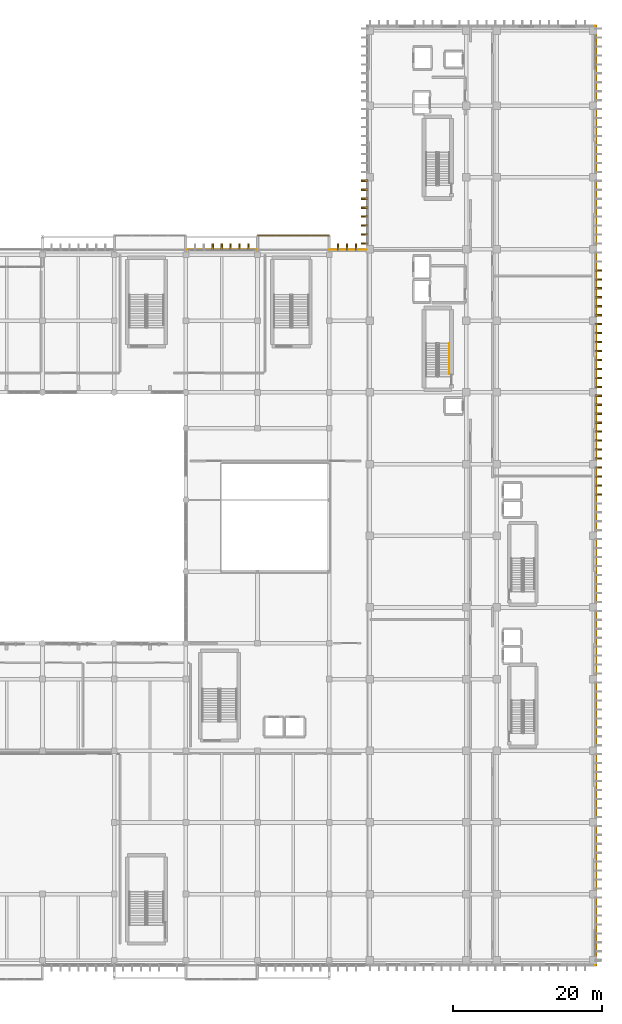
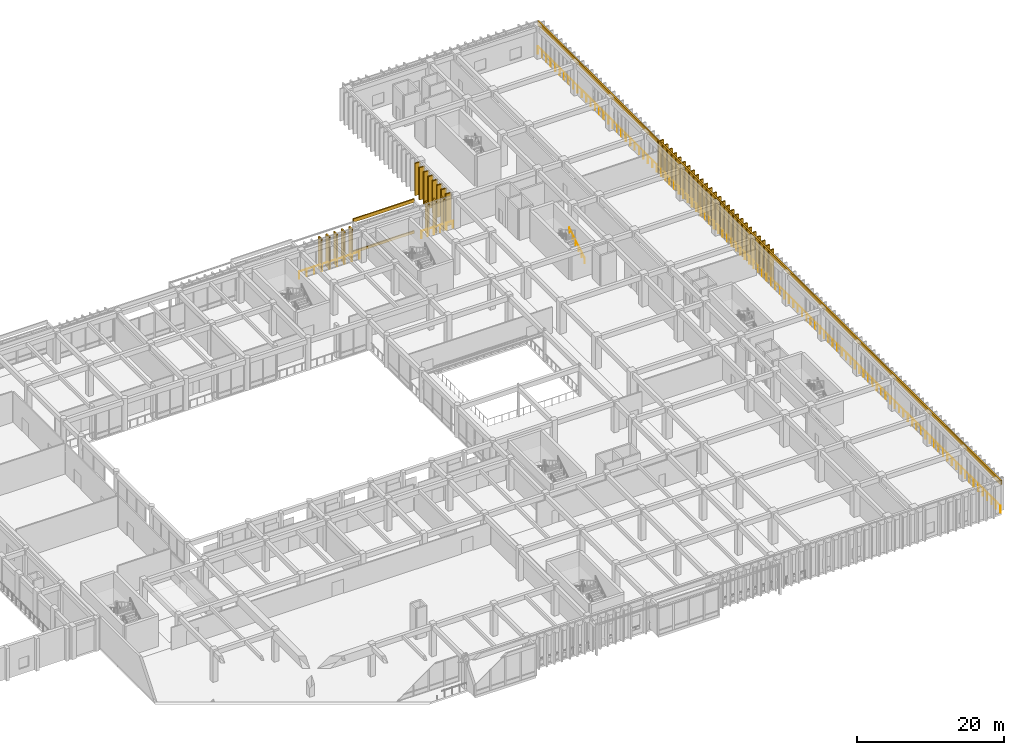
# One storey, part 132 of 134: 45 coverings, 42 shading devices, 4 railings.
"""IFC4 building model written with IfcOpenShell, lengths in metres."""

from ifc_helpers import new_model, si_unit, direction, frame, origin, origin_2d, place, context, subcontext, project, spatial, rectangle, circle, extrude, material, layer, layer_set, type_object, element, save


model = new_model("IFC4")

# Units and contexts
model_context = context("Model", 3, precision=1e-05, world=origin(), true_north=direction((0.0, 1.0)))
body_context = subcontext(model_context, "Body", "Model", "MODEL_VIEW")
ifc_project = project(units=[si_unit("LENGTHUNIT", "METRE"), si_unit("AREAUNIT", "SQUARE_METRE"), si_unit("VOLUMEUNIT", "CUBIC_METRE"), si_unit("PLANEANGLEUNIT", "RADIAN"), si_unit("MASSUNIT", "GRAM", prefix="KILO")], contexts=[model_context])

# Site, building, storey
site_placement = place(None, origin())
site = spatial("IfcSite", under=ifc_project, at=site_placement, CompositionType="ELEMENT")
building_placement = place(site_placement, origin())
building = spatial("IfcBuilding", under=site, at=building_placement, Name="Nakhvara Creek Congress Hotel", CompositionType="ELEMENT")
storey_placement = place(building_placement, frame((0.0, 0.0, 6.0)))
storey = spatial("IfcBuildingStorey", under=building, at=storey_placement, Name="L01", CompositionType="ELEMENT", Elevation=6.0)

# Coverings
ifc_material_1 = material(Name="Honed pale Omani limestone architectural cladding", Category="masonry")
ifc_layer_1 = layer(ifc_material_1, 0.219970703125)
ifc_layer_set_1 = layer_set([ifc_layer_1], Name="Honed pale Omani limestone architectural cladding")
covering_type_1 = type_object("IfcCoveringType", Name="COV-FIN-850", PredefinedType="CLADDING", material=ifc_layer_set_1)
for number, where, z_axis, x_axis, name in (
    (1, (128.39990234375, 96.304931640625, 0.0), (0.0, 0.0, 1.0), (1.0, 0.0, 0.0), "Pale Limestone Fin Cladding CF01-0209"),
    (2, (129.60009765625, 96.304931640625, 0.0), (0.0, 0.0, 1.0), (1.0, 0.0, 0.0), "Pale Limestone Fin Cladding CF01-0210"),
    (3, (130.800048828125, 96.304931640625, 0.0), (0.0, 0.0, 1.0), (1.0, 0.0, 0.0), "Pale Limestone Fin Cladding CF01-0211"),
    (4, (132.0, 96.304931640625, 0.0), (0.0, 0.0, 1.0), (1.0, 0.0, 0.0), "Pale Limestone Fin Cladding CF01-0212"),
    (5, (133.199951171875, 96.304931640625, 0.0), (0.0, 0.0, 1.0), (1.0, 0.0, 0.0), "Pale Limestone Fin Cladding CF01-0213"),
    (6, (145.199951171875, 96.304931640625, 0.0), (0.0, 0.0, 1.0), (1.0, 0.0, 0.0), "Pale Limestone Fin Cladding CF01-0214"),
    (7, (146.39990234375, 96.304931640625, 0.0), (0.0, 0.0, 1.0), (1.0, 0.0, 0.0), "Pale Limestone Fin Cladding CF01-0215"),
    (8, (147.60009765625, 96.304931640625, 0.0), (0.0, 0.0, 1.0), (1.0, 0.0, 0.0), "Pale Limestone Fin Cladding CF01-0216"),
):
    element("IfcCovering", number, at=place(storey_placement, frame(where, z_axis=z_axis, x_axis=x_axis)), inside=storey, type_object=covering_type_1, Name=name, PredefinedType="CLADDING", context=body_context, shape_type="SweptSolid", body=[
        extrude(rectangle(XDim=0.219970703125, YDim=0.85009765625, at=origin_2d()), origin(), (0.0, 0.0, 1.0), 5.320068359375),
    ])
for number, where, z_axis, x_axis, name in (
    (9, (180.054931640625, 63.14990234375, 0.0), (0.0, 0.0, 1.0), (0.0, 1.0, 0.0), "Pale Limestone Fin Cladding CF01-0729"),
    (10, (180.054931640625, 64.35009765625, 0.0), (0.0, 0.0, 1.0), (0.0, 1.0, 0.0), "Pale Limestone Fin Cladding CF01-0730"),
    (11, (180.054931640625, 65.550048828125, 0.0), (0.0, 0.0, 1.0), (0.0, 1.0, 0.0), "Pale Limestone Fin Cladding CF01-0731"),
    (12, (180.054931640625, 66.75, 0.0), (0.0, 0.0, 1.0), (0.0, 1.0, 0.0), "Pale Limestone Fin Cladding CF01-0732"),
    (13, (180.054931640625, 67.949951171875, 0.0), (0.0, 0.0, 1.0), (0.0, 1.0, 0.0), "Pale Limestone Fin Cladding CF01-0733"),
    (14, (180.054931640625, 69.14990234375, 0.0), (0.0, 0.0, 1.0), (0.0, 1.0, 0.0), "Pale Limestone Fin Cladding CF01-0734"),
    (15, (180.054931640625, 70.35009765625, 0.0), (0.0, 0.0, 1.0), (0.0, 1.0, 0.0), "Pale Limestone Fin Cladding CF01-0735"),
    (16, (180.054931640625, 71.550048828125, 0.0), (0.0, 0.0, 1.0), (0.0, 1.0, 0.0), "Pale Limestone Fin Cladding CF01-0736"),
    (17, (180.054931640625, 72.75, 0.0), (0.0, 0.0, 1.0), (0.0, 1.0, 0.0), "Pale Limestone Fin Cladding CF01-0737"),
    (18, (180.054931640625, 73.949951171875, 0.0), (0.0, 0.0, 1.0), (0.0, 1.0, 0.0), "Pale Limestone Fin Cladding CF01-0738"),
    (19, (180.054931640625, 75.14990234375, 0.0), (0.0, 0.0, 1.0), (0.0, 1.0, 0.0), "Pale Limestone Fin Cladding CF01-0739"),
    (20, (180.054931640625, 76.35009765625, 0.0), (0.0, 0.0, 1.0), (0.0, 1.0, 0.0), "Pale Limestone Fin Cladding CF01-0740"),
    (21, (180.054931640625, 77.550048828125, 0.0), (0.0, 0.0, 1.0), (0.0, 1.0, 0.0), "Pale Limestone Fin Cladding CF01-0741"),
    (22, (180.054931640625, 78.75, 0.0), (0.0, 0.0, 1.0), (0.0, 1.0, 0.0), "Pale Limestone Fin Cladding CF01-0742"),
    (23, (180.054931640625, 79.949951171875, 0.0), (0.0, 0.0, 1.0), (0.0, 1.0, 0.0), "Pale Limestone Fin Cladding CF01-0743"),
    (24, (180.054931640625, 81.14990234375, 0.0), (0.0, 0.0, 1.0), (0.0, 1.0, 0.0), "Pale Limestone Fin Cladding CF01-0744"),
    (25, (180.054931640625, 82.35009765625, 0.0), (0.0, 0.0, 1.0), (0.0, 1.0, 0.0), "Pale Limestone Fin Cladding CF01-0745"),
    (26, (180.054931640625, 83.550048828125, 0.0), (0.0, 0.0, 1.0), (0.0, 1.0, 0.0), "Pale Limestone Fin Cladding CF01-0746"),
    (27, (180.054931640625, 84.75, 0.0), (0.0, 0.0, 1.0), (0.0, 1.0, 0.0), "Pale Limestone Fin Cladding CF01-0747"),
    (28, (180.054931640625, 85.949951171875, 0.0), (0.0, 0.0, 1.0), (0.0, 1.0, 0.0), "Pale Limestone Fin Cladding CF01-0748"),
    (29, (180.054931640625, 87.14990234375, 0.0), (0.0, 0.0, 1.0), (0.0, 1.0, 0.0), "Pale Limestone Fin Cladding CF01-0749"),
    (30, (180.054931640625, 88.35009765625, 0.0), (0.0, 0.0, 1.0), (0.0, 1.0, 0.0), "Pale Limestone Fin Cladding CF01-0750"),
    (31, (180.054931640625, 89.550048828125, 0.0), (0.0, 0.0, 1.0), (0.0, 1.0, 0.0), "Pale Limestone Fin Cladding CF01-0751"),
    (32, (180.054931640625, 90.75, 0.0), (0.0, 0.0, 1.0), (0.0, 1.0, 0.0), "Pale Limestone Fin Cladding CF01-0752"),
    (33, (180.054931640625, 91.949951171875, 0.0), (0.0, 0.0, 1.0), (0.0, 1.0, 0.0), "Pale Limestone Fin Cladding CF01-0753"),
    (34, (180.054931640625, 93.14990234375, 0.0), (0.0, 0.0, 1.0), (0.0, 1.0, 0.0), "Pale Limestone Fin Cladding CF01-0754"),
    (35, (148.7451171875, 96.75, 0.0), (0.0, 0.0, 1.0), (0.0, 1.0, 0.0), "Pale Limestone Fin Cladding CF01-0758"),
    (36, (148.7451171875, 97.949951171875, 0.0), (0.0, 0.0, 1.0), (0.0, 1.0, 0.0), "Pale Limestone Fin Cladding CF01-0760"),
    (37, (148.7451171875, 99.14990234375, 0.0), (0.0, 0.0, 1.0), (0.0, 1.0, 0.0), "Pale Limestone Fin Cladding CF01-0762"),
    (38, (148.7451171875, 100.35009765625, 0.0), (0.0, 0.0, 1.0), (0.0, 1.0, 0.0), "Pale Limestone Fin Cladding CF01-0764"),
    (39, (148.7451171875, 101.550048828125, 0.0), (0.0, 0.0, 1.0), (0.0, 1.0, 0.0), "Pale Limestone Fin Cladding CF01-0766"),
    (40, (148.7451171875, 102.75, 0.0), (0.0, 0.0, 1.0), (0.0, 1.0, 0.0), "Pale Limestone Fin Cladding CF01-0768"),
    (41, (148.7451171875, 103.949951171875, 0.0), (0.0, 0.0, 1.0), (0.0, 1.0, 0.0), "Pale Limestone Fin Cladding CF01-0770"),
    (42, (148.7451171875, 105.14990234375, 0.0), (0.0, 0.0, 1.0), (0.0, 1.0, 0.0), "Pale Limestone Fin Cladding CF01-0772"),
):
    element("IfcCovering", number, at=place(storey_placement, frame(where, z_axis=z_axis, x_axis=x_axis)), inside=storey, type_object=covering_type_1, Name=name, PredefinedType="CLADDING", context=body_context, shape_type="SweptSolid", body=[
        extrude(rectangle(XDim=0.219970703125, YDim=0.85009765625, at=origin_2d()), origin(), (0.0, 0.0, 1.0), 5.360107421875),
    ])
ifc_layer_2 = layer(ifc_material_1, 0.179931640625)
ifc_layer_set_2 = layer_set([ifc_layer_2], Name="Honed pale Omani limestone architectural cladding")
covering_type_2 = type_object("IfcCoveringType", Name="COV-SPN-180", PredefinedType="CLADDING", material=ifc_layer_set_2)
covering_1_placement = place(storey_placement, frame((139.199951171875, 97.800048828125, -0.260009765625), z_axis=(0.0, 0.0, 1.0), x_axis=(1.0, 0.0, 0.0)))
element("IfcCovering", 43, at=covering_1_placement, inside=storey, type_object=covering_type_2, Name="Pale Limestone Spandrel Band CF02-0010", PredefinedType="CLADDING", context=body_context, shape_type="SweptSolid", body=[
    extrude(rectangle(XDim=9.60009765625, YDim=0.199951171875, at=origin_2d()), origin(), (0.0, 0.0, 1.0), 0.419921875),
])
covering_2_placement = place(storey_placement, frame((139.199951171875, 97.800048828125, 4.89990234375), z_axis=(0.0, 0.0, 1.0), x_axis=(1.0, 0.0, 0.0)))
element("IfcCovering", 44, at=covering_2_placement, inside=storey, type_object=covering_type_2, Name="Pale Limestone Spandrel Band CF02-0011", PredefinedType="CLADDING", context=body_context, shape_type="SweptSolid", body=[
    extrude(rectangle(XDim=9.60009765625, YDim=0.199951171875, at=origin_2d()), origin(), (0.0, 0.0, 1.0), 0.56005859375),
])
covering_3_placement = place(storey_placement, frame((179.739990234375, 63.0, 4.7099609375), z_axis=(0.0, 0.0, 1.0), x_axis=(0.0, 1.0, 0.0)))
element("IfcCovering", 45, at=covering_3_placement, inside=storey, type_object=covering_type_2, Name="Pale Limestone Spandrel Band CF02-0045", PredefinedType="CLADDING", context=body_context, shape_type="SweptSolid", body=[
    extrude(rectangle(XDim=126.0, YDim=0.219970703125, at=origin_2d()), origin(), (0.0, 0.0, 1.0), 0.72998046875),
])

# Railings
ifc_material_2 = material(Name="Brushed stainless steel 316L", Category="steel")
railing_type_1 = type_object("IfcRailingType", Name="RL-GUARD-1200", PredefinedType="GUARDRAIL", material=ifc_material_2)
railing_1_placement = place(storey_placement, frame((124.860107421875, 95.919921875, 0.0)))
element("IfcRailing", 46, at=railing_1_placement, inside=storey, type_object=railing_type_1, Name="North Conference Edge Guard L01-124", PredefinedType="GUARDRAIL", context=body_context, shape_type="SweptSolid", body=[
    extrude(circle(Radius=0.02392578125, at=origin_2d()), frame((0.0146484375, 0.0, 1.17578125), z_axis=(1.0, 0.0, 0.0), x_axis=(0.0, 1.0, 0.0)), (0.0, 0.0, 1.0), 9.45068359375),
    extrude(circle(Radius=0.02099609375, at=origin_2d()), origin(), (0.0, 0.0, 1.0), 1.1806640625),
    extrude(circle(Radius=0.02099609375, at=origin_2d()), frame((1.18505859375, 0.0, 0.0)), (0.0, 0.0, 1.0), 1.1806640625),
    extrude(circle(Radius=0.02099609375, at=origin_2d()), frame((2.3701171875, 0.0, 0.0)), (0.0, 0.0, 1.0), 1.1806640625),
    extrude(circle(Radius=0.02099609375, at=origin_2d()), frame((3.554931640625, 0.0, 0.0)), (0.0, 0.0, 1.0), 1.1806640625),
    extrude(circle(Radius=0.02099609375, at=origin_2d()), frame((4.739990234375, 0.0, 0.0)), (0.0, 0.0, 1.0), 1.1806640625),
    extrude(circle(Radius=0.02099609375, at=origin_2d()), frame((5.925048828125, 0.0, 0.0)), (0.0, 0.0, 1.0), 1.1806640625),
    extrude(circle(Radius=0.02099609375, at=origin_2d()), frame((7.10986328125, 0.0, 0.0)), (0.0, 0.0, 1.0), 1.1806640625),
    extrude(circle(Radius=0.02099609375, at=origin_2d()), frame((8.294921875, 0.0, 0.0)), (0.0, 0.0, 1.0), 1.1806640625),
    extrude(circle(Radius=0.02099609375, at=origin_2d()), frame((9.47998046875, 0.0, 0.0)), (0.0, 0.0, 1.0), 1.1806640625),
])
railing_2_placement = place(storey_placement, frame((144.06005859375, 95.919921875, 0.0)))
element("IfcRailing", 47, at=railing_2_placement, inside=storey, type_object=railing_type_1, Name="North Conference Edge Guard L01-144", PredefinedType="GUARDRAIL", context=body_context, shape_type="SweptSolid", body=[
    extrude(circle(Radius=0.02392578125, at=origin_2d()), frame((0.0146484375, 0.0, 1.17578125), z_axis=(1.0, 0.0, 0.0), x_axis=(0.0, 1.0, 0.0)), (0.0, 0.0, 1.0), 4.900634765625),
    extrude(circle(Radius=0.02099609375, at=origin_2d()), origin(), (0.0, 0.0, 1.0), 1.1806640625),
    extrude(circle(Radius=0.02099609375, at=origin_2d()), frame((0.986083984375, 0.0, 0.0)), (0.0, 0.0, 1.0), 1.1806640625),
    extrude(circle(Radius=0.02099609375, at=origin_2d()), frame((1.971923828125, 0.0, 0.0)), (0.0, 0.0, 1.0), 1.1806640625),
    extrude(circle(Radius=0.02099609375, at=origin_2d()), frame((2.9580078125, 0.0, 0.0)), (0.0, 0.0, 1.0), 1.1806640625),
    extrude(circle(Radius=0.02099609375, at=origin_2d()), frame((3.94384765625, 0.0, 0.0)), (0.0, 0.0, 1.0), 1.1806640625),
    extrude(circle(Radius=0.02099609375, at=origin_2d()), frame((4.929931640625, 0.0, 0.0)), (0.0, 0.0, 1.0), 1.1806640625),
])
railing_3_placement = place(storey_placement, frame((179.669921875, 0.080078125, 0.0)))
element("IfcRailing", 48, at=railing_3_placement, inside=storey, type_object=railing_type_1, Name="Perimeter Safety Rail East L01", PredefinedType="GUARDRAIL", context=body_context, shape_type="SweptSolid", body=[
    extrude(circle(Radius=0.02392578125, at=origin_2d()), frame((0.0, 0.0146484375, 1.17578125), z_axis=(0.0, 1.0, 0.0), x_axis=(-1.0, 0.0, 0.0)), (0.0, 0.0, 1.0), 125.810546875),
    extrude(circle(Radius=0.02099609375, at=origin_2d()), origin(), (0.0, 0.0, 1.0), 1.1806640625),
    extrude(circle(Radius=0.02099609375, at=origin_2d()), frame((0.0, 1.198486328125, 0.0)), (0.0, 0.0, 1.0), 1.1806640625),
    extrude(circle(Radius=0.02099609375, at=origin_2d()), frame((0.0, 2.39697265625, 0.0)), (0.0, 0.0, 1.0), 1.1806640625),
    extrude(circle(Radius=0.02099609375, at=origin_2d()), frame((0.0, 3.595458984375, 0.0)), (0.0, 0.0, 1.0), 1.1806640625),
    extrude(circle(Radius=0.02099609375, at=origin_2d()), frame((0.0, 4.7939453125, 0.0)), (0.0, 0.0, 1.0), 1.1806640625),
    extrude(circle(Radius=0.02099609375, at=origin_2d()), frame((0.0, 5.992431640625, 0.0)), (0.0, 0.0, 1.0), 1.1806640625),
    extrude(circle(Radius=0.02099609375, at=origin_2d()), frame((0.0, 7.19091796875, 0.0)), (0.0, 0.0, 1.0), 1.1806640625),
    extrude(circle(Radius=0.02099609375, at=origin_2d()), frame((0.0, 8.389404296875, 0.0)), (0.0, 0.0, 1.0), 1.1806640625),
    extrude(circle(Radius=0.02099609375, at=origin_2d()), frame((0.0, 9.587890625, 0.0)), (0.0, 0.0, 1.0), 1.1806640625),
    extrude(circle(Radius=0.02099609375, at=origin_2d()), frame((0.0, 10.786376953125, 0.0)), (0.0, 0.0, 1.0), 1.1806640625),
    extrude(circle(Radius=0.02099609375, at=origin_2d()), frame((0.0, 11.98486328125, 0.0)), (0.0, 0.0, 1.0), 1.1806640625),
    extrude(circle(Radius=0.02099609375, at=origin_2d()), frame((0.0, 13.18310546875, 0.0)), (0.0, 0.0, 1.0), 1.1806640625),
    extrude(circle(Radius=0.02099609375, at=origin_2d()), frame((0.0, 14.381591796875, 0.0)), (0.0, 0.0, 1.0), 1.1806640625),
    extrude(circle(Radius=0.02099609375, at=origin_2d()), frame((0.0, 15.580078125, 0.0)), (0.0, 0.0, 1.0), 1.1806640625),
    extrude(circle(Radius=0.02099609375, at=origin_2d()), frame((0.0, 16.778564453125, 0.0)), (0.0, 0.0, 1.0), 1.1806640625),
    extrude(circle(Radius=0.02099609375, at=origin_2d()), frame((0.0, 17.97705078125, 0.0)), (0.0, 0.0, 1.0), 1.1806640625),
    extrude(circle(Radius=0.02099609375, at=origin_2d()), frame((0.0, 19.175537109375, 0.0)), (0.0, 0.0, 1.0), 1.1806640625),
    extrude(circle(Radius=0.02099609375, at=origin_2d()), frame((0.0, 20.3740234375, 0.0)), (0.0, 0.0, 1.0), 1.1806640625),
    extrude(circle(Radius=0.02099609375, at=origin_2d()), frame((0.0, 21.572509765625, 0.0)), (0.0, 0.0, 1.0), 1.1806640625),
    extrude(circle(Radius=0.02099609375, at=origin_2d()), frame((0.0, 22.77099609375, 0.0)), (0.0, 0.0, 1.0), 1.1806640625),
    extrude(circle(Radius=0.02099609375, at=origin_2d()), frame((0.0, 23.969482421875, 0.0)), (0.0, 0.0, 1.0), 1.1806640625),
    extrude(circle(Radius=0.02099609375, at=origin_2d()), frame((0.0, 25.16796875, 0.0)), (0.0, 0.0, 1.0), 1.1806640625),
    extrude(circle(Radius=0.02099609375, at=origin_2d()), frame((0.0, 26.366455078125, 0.0)), (0.0, 0.0, 1.0), 1.1806640625),
    extrude(circle(Radius=0.02099609375, at=origin_2d()), frame((0.0, 27.56494140625, 0.0)), (0.0, 0.0, 1.0), 1.1806640625),
    extrude(circle(Radius=0.02099609375, at=origin_2d()), frame((0.0, 28.763427734375, 0.0)), (0.0, 0.0, 1.0), 1.1806640625),
    extrude(circle(Radius=0.02099609375, at=origin_2d()), frame((0.0, 29.9619140625, 0.0)), (0.0, 0.0, 1.0), 1.1806640625),
    extrude(circle(Radius=0.02099609375, at=origin_2d()), frame((0.0, 31.160400390625, 0.0)), (0.0, 0.0, 1.0), 1.1806640625),
    extrude(circle(Radius=0.02099609375, at=origin_2d()), frame((0.0, 32.35888671875, 0.0)), (0.0, 0.0, 1.0), 1.1806640625),
    extrude(circle(Radius=0.02099609375, at=origin_2d()), frame((0.0, 33.557373046875, 0.0)), (0.0, 0.0, 1.0), 1.1806640625),
    extrude(circle(Radius=0.02099609375, at=origin_2d()), frame((0.0, 34.755859375, 0.0)), (0.0, 0.0, 1.0), 1.1806640625),
    extrude(circle(Radius=0.02099609375, at=origin_2d()), frame((0.0, 35.954345703125, 0.0)), (0.0, 0.0, 1.0), 1.1806640625),
    extrude(circle(Radius=0.02099609375, at=origin_2d()), frame((0.0, 37.15283203125, 0.0)), (0.0, 0.0, 1.0), 1.1806640625),
    extrude(circle(Radius=0.02099609375, at=origin_2d()), frame((0.0, 38.35107421875, 0.0)), (0.0, 0.0, 1.0), 1.1806640625),
    extrude(circle(Radius=0.02099609375, at=origin_2d()), frame((0.0, 39.549560546875, 0.0)), (0.0, 0.0, 1.0), 1.1806640625),
    extrude(circle(Radius=0.02099609375, at=origin_2d()), frame((0.0, 40.748046875, 0.0)), (0.0, 0.0, 1.0), 1.1806640625),
    extrude(circle(Radius=0.02099609375, at=origin_2d()), frame((0.0, 41.946533203125, 0.0)), (0.0, 0.0, 1.0), 1.1806640625),
    extrude(circle(Radius=0.02099609375, at=origin_2d()), frame((0.0, 43.14501953125, 0.0)), (0.0, 0.0, 1.0), 1.1806640625),
    extrude(circle(Radius=0.02099609375, at=origin_2d()), frame((0.0, 44.343505859375, 0.0)), (0.0, 0.0, 1.0), 1.1806640625),
    extrude(circle(Radius=0.02099609375, at=origin_2d()), frame((0.0, 45.5419921875, 0.0)), (0.0, 0.0, 1.0), 1.1806640625),
    extrude(circle(Radius=0.02099609375, at=origin_2d()), frame((0.0, 46.740478515625, 0.0)), (0.0, 0.0, 1.0), 1.1806640625),
    extrude(circle(Radius=0.02099609375, at=origin_2d()), frame((0.0, 47.93896484375, 0.0)), (0.0, 0.0, 1.0), 1.1806640625),
    extrude(circle(Radius=0.02099609375, at=origin_2d()), frame((0.0, 49.137451171875, 0.0)), (0.0, 0.0, 1.0), 1.1806640625),
    extrude(circle(Radius=0.02099609375, at=origin_2d()), frame((0.0, 50.3359375, 0.0)), (0.0, 0.0, 1.0), 1.1806640625),
    extrude(circle(Radius=0.02099609375, at=origin_2d()), frame((0.0, 51.534423828125, 0.0)), (0.0, 0.0, 1.0), 1.1806640625),
    extrude(circle(Radius=0.02099609375, at=origin_2d()), frame((0.0, 52.73291015625, 0.0)), (0.0, 0.0, 1.0), 1.1806640625),
    extrude(circle(Radius=0.02099609375, at=origin_2d()), frame((0.0, 53.931396484375, 0.0)), (0.0, 0.0, 1.0), 1.1806640625),
    extrude(circle(Radius=0.02099609375, at=origin_2d()), frame((0.0, 55.1298828125, 0.0)), (0.0, 0.0, 1.0), 1.1806640625),
    extrude(circle(Radius=0.02099609375, at=origin_2d()), frame((0.0, 56.328369140625, 0.0)), (0.0, 0.0, 1.0), 1.1806640625),
    extrude(circle(Radius=0.02099609375, at=origin_2d()), frame((0.0, 57.52685546875, 0.0)), (0.0, 0.0, 1.0), 1.1806640625),
    extrude(circle(Radius=0.02099609375, at=origin_2d()), frame((0.0, 58.725341796875, 0.0)), (0.0, 0.0, 1.0), 1.1806640625),
    extrude(circle(Radius=0.02099609375, at=origin_2d()), frame((0.0, 59.923828125, 0.0)), (0.0, 0.0, 1.0), 1.1806640625),
    extrude(circle(Radius=0.02099609375, at=origin_2d()), frame((0.0, 61.122314453125, 0.0)), (0.0, 0.0, 1.0), 1.1806640625),
    extrude(circle(Radius=0.02099609375, at=origin_2d()), frame((0.0, 62.32080078125, 0.0)), (0.0, 0.0, 1.0), 1.1806640625),
    extrude(circle(Radius=0.02099609375, at=origin_2d()), frame((0.0, 63.51904296875, 0.0)), (0.0, 0.0, 1.0), 1.1806640625),
    extrude(circle(Radius=0.02099609375, at=origin_2d()), frame((0.0, 64.717529296875, 0.0)), (0.0, 0.0, 1.0), 1.1806640625),
    extrude(circle(Radius=0.02099609375, at=origin_2d()), frame((0.0, 65.916015625, 0.0)), (0.0, 0.0, 1.0), 1.1806640625),
    extrude(circle(Radius=0.02099609375, at=origin_2d()), frame((0.0, 67.114501953125, 0.0)), (0.0, 0.0, 1.0), 1.1806640625),
    extrude(circle(Radius=0.02099609375, at=origin_2d()), frame((0.0, 68.31298828125, 0.0)), (0.0, 0.0, 1.0), 1.1806640625),
    extrude(circle(Radius=0.02099609375, at=origin_2d()), frame((0.0, 69.511474609375, 0.0)), (0.0, 0.0, 1.0), 1.1806640625),
    extrude(circle(Radius=0.02099609375, at=origin_2d()), frame((0.0, 70.7099609375, 0.0)), (0.0, 0.0, 1.0), 1.1806640625),
    extrude(circle(Radius=0.02099609375, at=origin_2d()), frame((0.0, 71.908447265625, 0.0)), (0.0, 0.0, 1.0), 1.1806640625),
    extrude(circle(Radius=0.02099609375, at=origin_2d()), frame((0.0, 73.10693359375, 0.0)), (0.0, 0.0, 1.0), 1.1806640625),
    extrude(circle(Radius=0.02099609375, at=origin_2d()), frame((0.0, 74.305419921875, 0.0)), (0.0, 0.0, 1.0), 1.1806640625),
    extrude(circle(Radius=0.02099609375, at=origin_2d()), frame((0.0, 75.50390625, 0.0)), (0.0, 0.0, 1.0), 1.1806640625),
    extrude(circle(Radius=0.02099609375, at=origin_2d()), frame((0.0, 76.702392578125, 0.0)), (0.0, 0.0, 1.0), 1.1806640625),
    extrude(circle(Radius=0.02099609375, at=origin_2d()), frame((0.0, 77.90087890625, 0.0)), (0.0, 0.0, 1.0), 1.1806640625),
    extrude(circle(Radius=0.02099609375, at=origin_2d()), frame((0.0, 79.099365234375, 0.0)), (0.0, 0.0, 1.0), 1.1806640625),
    extrude(circle(Radius=0.02099609375, at=origin_2d()), frame((0.0, 80.2978515625, 0.0)), (0.0, 0.0, 1.0), 1.1806640625),
    extrude(circle(Radius=0.02099609375, at=origin_2d()), frame((0.0, 81.496337890625, 0.0)), (0.0, 0.0, 1.0), 1.1806640625),
    extrude(circle(Radius=0.02099609375, at=origin_2d()), frame((0.0, 82.69482421875, 0.0)), (0.0, 0.0, 1.0), 1.1806640625),
    extrude(circle(Radius=0.02099609375, at=origin_2d()), frame((0.0, 83.893310546875, 0.0)), (0.0, 0.0, 1.0), 1.1806640625),
    extrude(circle(Radius=0.02099609375, at=origin_2d()), frame((0.0, 85.091796875, 0.0)), (0.0, 0.0, 1.0), 1.1806640625),
    extrude(circle(Radius=0.02099609375, at=origin_2d()), frame((0.0, 86.290283203125, 0.0)), (0.0, 0.0, 1.0), 1.1806640625),
    extrude(circle(Radius=0.02099609375, at=origin_2d()), frame((0.0, 87.48876953125, 0.0)), (0.0, 0.0, 1.0), 1.1806640625),
    extrude(circle(Radius=0.02099609375, at=origin_2d()), frame((0.0, 88.68701171875, 0.0)), (0.0, 0.0, 1.0), 1.1806640625),
    extrude(circle(Radius=0.02099609375, at=origin_2d()), frame((0.0, 89.885498046875, 0.0)), (0.0, 0.0, 1.0), 1.1806640625),
    extrude(circle(Radius=0.02099609375, at=origin_2d()), frame((0.0, 91.083984375, 0.0)), (0.0, 0.0, 1.0), 1.1806640625),
    extrude(circle(Radius=0.02099609375, at=origin_2d()), frame((0.0, 92.282470703125, 0.0)), (0.0, 0.0, 1.0), 1.1806640625),
    extrude(circle(Radius=0.02099609375, at=origin_2d()), frame((0.0, 93.48095703125, 0.0)), (0.0, 0.0, 1.0), 1.1806640625),
    extrude(circle(Radius=0.02099609375, at=origin_2d()), frame((0.0, 94.679443359375, 0.0)), (0.0, 0.0, 1.0), 1.1806640625),
    extrude(circle(Radius=0.02099609375, at=origin_2d()), frame((0.0, 95.8779296875, 0.0)), (0.0, 0.0, 1.0), 1.1806640625),
    extrude(circle(Radius=0.02099609375, at=origin_2d()), frame((0.0, 97.076416015625, 0.0)), (0.0, 0.0, 1.0), 1.1806640625),
    extrude(circle(Radius=0.02099609375, at=origin_2d()), frame((0.0, 98.27490234375, 0.0)), (0.0, 0.0, 1.0), 1.1806640625),
    extrude(circle(Radius=0.02099609375, at=origin_2d()), frame((0.0, 99.473388671875, 0.0)), (0.0, 0.0, 1.0), 1.1806640625),
    extrude(circle(Radius=0.02099609375, at=origin_2d()), frame((0.0, 100.671875, 0.0)), (0.0, 0.0, 1.0), 1.1806640625),
    extrude(circle(Radius=0.02099609375, at=origin_2d()), frame((0.0, 101.870361328125, 0.0)), (0.0, 0.0, 1.0), 1.1806640625),
    extrude(circle(Radius=0.02099609375, at=origin_2d()), frame((0.0, 103.06884765625, 0.0)), (0.0, 0.0, 1.0), 1.1806640625),
    extrude(circle(Radius=0.02099609375, at=origin_2d()), frame((0.0, 104.267333984375, 0.0)), (0.0, 0.0, 1.0), 1.1806640625),
    extrude(circle(Radius=0.02099609375, at=origin_2d()), frame((0.0, 105.4658203125, 0.0)), (0.0, 0.0, 1.0), 1.1806640625),
    extrude(circle(Radius=0.02099609375, at=origin_2d()), frame((0.0, 106.664306640625, 0.0)), (0.0, 0.0, 1.0), 1.1806640625),
    extrude(circle(Radius=0.02099609375, at=origin_2d()), frame((0.0, 107.86279296875, 0.0)), (0.0, 0.0, 1.0), 1.1806640625),
    extrude(circle(Radius=0.02099609375, at=origin_2d()), frame((0.0, 109.061279296875, 0.0)), (0.0, 0.0, 1.0), 1.1806640625),
    extrude(circle(Radius=0.02099609375, at=origin_2d()), frame((0.0, 110.259765625, 0.0)), (0.0, 0.0, 1.0), 1.1806640625),
    extrude(circle(Radius=0.02099609375, at=origin_2d()), frame((0.0, 111.458251953125, 0.0)), (0.0, 0.0, 1.0), 1.1806640625),
    extrude(circle(Radius=0.02099609375, at=origin_2d()), frame((0.0, 112.65673828125, 0.0)), (0.0, 0.0, 1.0), 1.1806640625),
    extrude(circle(Radius=0.02099609375, at=origin_2d()), frame((0.0, 113.85498046875, 0.0)), (0.0, 0.0, 1.0), 1.1806640625),
    extrude(circle(Radius=0.02099609375, at=origin_2d()), frame((0.0, 115.053466796875, 0.0)), (0.0, 0.0, 1.0), 1.1806640625),
    extrude(circle(Radius=0.02099609375, at=origin_2d()), frame((0.0, 116.251953125, 0.0)), (0.0, 0.0, 1.0), 1.1806640625),
    extrude(circle(Radius=0.02099609375, at=origin_2d()), frame((0.0, 117.450439453125, 0.0)), (0.0, 0.0, 1.0), 1.1806640625),
    extrude(circle(Radius=0.02099609375, at=origin_2d()), frame((0.0, 118.64892578125, 0.0)), (0.0, 0.0, 1.0), 1.1806640625),
    extrude(circle(Radius=0.02099609375, at=origin_2d()), frame((0.0, 119.847412109375, 0.0)), (0.0, 0.0, 1.0), 1.1806640625),
    extrude(circle(Radius=0.02099609375, at=origin_2d()), frame((0.0, 121.0458984375, 0.0)), (0.0, 0.0, 1.0), 1.1806640625),
    extrude(circle(Radius=0.02099609375, at=origin_2d()), frame((0.0, 122.244384765625, 0.0)), (0.0, 0.0, 1.0), 1.1806640625),
    extrude(circle(Radius=0.02099609375, at=origin_2d()), frame((0.0, 123.44287109375, 0.0)), (0.0, 0.0, 1.0), 1.1806640625),
    extrude(circle(Radius=0.02099609375, at=origin_2d()), frame((0.0, 124.641357421875, 0.0)), (0.0, 0.0, 1.0), 1.1806640625),
    extrude(circle(Radius=0.02099609375, at=origin_2d()), frame((0.0, 125.83984375, 0.0)), (0.0, 0.0, 1.0), 1.1806640625),
])
railing_type_2 = type_object("IfcRailingType", Name="RL-HAND-900", PredefinedType="HANDRAIL", material=ifc_material_2)
railing_4_placement = place(storey_placement, frame((160.074951171875, 79.2548828125, 0.360107421875)))
element("IfcRailing", 49, at=railing_4_placement, inside=storey, type_object=railing_type_2, Name="L01 ST01 stair handrail 1", PredefinedType="HANDRAIL", context=body_context, shape_type="SweptSolid", body=[
    extrude(circle(Radius=0.02392578125, at=origin_2d()), frame((0.0, 0.012451171875, 0.883544921875), z_axis=(0.0, 0.850648588666, 0.52573470363), x_axis=(-1.0, 0.0, 0.0)), (0.0, 0.0, 1.0), 4.784912109375),
    extrude(circle(Radius=0.02099609375, at=origin_2d()), origin(), (0.0, 0.0, 1.0), 0.880615234375),
    extrude(circle(Radius=0.02099609375, at=origin_2d()), frame((0.0, 0.819091796875, 0.506103515625)), (0.0, 0.0, 1.0), 0.880615234375),
    extrude(circle(Radius=0.02099609375, at=origin_2d()), frame((0.0, 1.63818359375, 1.012451171875)), (0.0, 0.0, 1.0), 0.880615234375),
    extrude(circle(Radius=0.02099609375, at=origin_2d()), frame((0.0, 2.45703125, 1.5185546875)), (0.0, 0.0, 1.0), 0.880615234375),
    extrude(circle(Radius=0.02099609375, at=origin_2d()), frame((0.0, 3.276123046875, 2.02490234375)), (0.0, 0.0, 1.0), 0.880615234375),
    extrude(circle(Radius=0.02099609375, at=origin_2d()), frame((0.0, 4.09521484375, 2.531005859375)), (0.0, 0.0, 1.0), 0.880615234375),
])

# Shading devices
ifc_material_3 = material(Name="Honed pale Omani limestone cladding on stainless steel spine", Category="masonry")
shading_device_type = type_object("IfcShadingDeviceType", Name="SHD-FIN-850X4700", PredefinedType="USERDEFINED", material=ifc_material_3)
for number, where, z_axis, x_axis, name in (
    (50, (128.39990234375, 96.304931640625, 0.0), (0.0, 0.0, 1.0), (1.0, 0.0, 0.0), "Limestone Solar Fin FN02-0209"),
    (51, (129.60009765625, 96.304931640625, 0.0), (0.0, 0.0, 1.0), (1.0, 0.0, 0.0), "Limestone Solar Fin FN02-0210"),
    (52, (130.800048828125, 96.304931640625, 0.0), (0.0, 0.0, 1.0), (1.0, 0.0, 0.0), "Limestone Solar Fin FN02-0211"),
    (53, (132.0, 96.304931640625, 0.0), (0.0, 0.0, 1.0), (1.0, 0.0, 0.0), "Limestone Solar Fin FN02-0212"),
    (54, (133.199951171875, 96.304931640625, 0.0), (0.0, 0.0, 1.0), (1.0, 0.0, 0.0), "Limestone Solar Fin FN02-0213"),
    (55, (145.199951171875, 96.304931640625, 0.0), (0.0, 0.0, 1.0), (1.0, 0.0, 0.0), "Limestone Solar Fin FN02-0214"),
    (56, (146.39990234375, 96.304931640625, 0.0), (0.0, 0.0, 1.0), (1.0, 0.0, 0.0), "Limestone Solar Fin FN02-0215"),
    (57, (147.60009765625, 96.304931640625, 0.0), (0.0, 0.0, 1.0), (1.0, 0.0, 0.0), "Limestone Solar Fin FN02-0216"),
):
    element("IfcShadingDevice", number, at=place(storey_placement, frame(where, z_axis=z_axis, x_axis=x_axis)), inside=storey, type_object=shading_device_type, Name=name, ObjectType="FIN", PredefinedType="USERDEFINED", context=body_context, shape_type="SweptSolid", body=[
        extrude(rectangle(XDim=0.199951171875, YDim=0.85009765625, at=origin_2d()), origin(), (0.0, 0.0, 1.0), 5.320068359375),
    ])
for number, where, z_axis, x_axis, name in (
    (58, (180.054931640625, 63.14990234375, 0.0), (0.0, 0.0, 1.0), (0.0, 1.0, 0.0), "Limestone Solar Fin FN02-0594"),
    (59, (180.054931640625, 64.35009765625, 0.0), (0.0, 0.0, 1.0), (0.0, 1.0, 0.0), "Limestone Solar Fin FN02-0595"),
    (60, (180.054931640625, 65.550048828125, 0.0), (0.0, 0.0, 1.0), (0.0, 1.0, 0.0), "Limestone Solar Fin FN02-0596"),
    (61, (180.054931640625, 66.75, 0.0), (0.0, 0.0, 1.0), (0.0, 1.0, 0.0), "Limestone Solar Fin FN02-0597"),
    (62, (180.054931640625, 67.949951171875, 0.0), (0.0, 0.0, 1.0), (0.0, 1.0, 0.0), "Limestone Solar Fin FN02-0598"),
    (63, (180.054931640625, 69.14990234375, 0.0), (0.0, 0.0, 1.0), (0.0, 1.0, 0.0), "Limestone Solar Fin FN02-0599"),
    (64, (180.054931640625, 70.35009765625, 0.0), (0.0, 0.0, 1.0), (0.0, 1.0, 0.0), "Limestone Solar Fin FN02-0600"),
    (65, (180.054931640625, 71.550048828125, 0.0), (0.0, 0.0, 1.0), (0.0, 1.0, 0.0), "Limestone Solar Fin FN02-0601"),
    (66, (180.054931640625, 72.75, 0.0), (0.0, 0.0, 1.0), (0.0, 1.0, 0.0), "Limestone Solar Fin FN02-0602"),
    (67, (180.054931640625, 73.949951171875, 0.0), (0.0, 0.0, 1.0), (0.0, 1.0, 0.0), "Limestone Solar Fin FN02-0603"),
    (68, (180.054931640625, 75.14990234375, 0.0), (0.0, 0.0, 1.0), (0.0, 1.0, 0.0), "Limestone Solar Fin FN02-0604"),
    (69, (180.054931640625, 76.35009765625, 0.0), (0.0, 0.0, 1.0), (0.0, 1.0, 0.0), "Limestone Solar Fin FN02-0605"),
    (70, (180.054931640625, 77.550048828125, 0.0), (0.0, 0.0, 1.0), (0.0, 1.0, 0.0), "Limestone Solar Fin FN02-0606"),
    (71, (180.054931640625, 78.75, 0.0), (0.0, 0.0, 1.0), (0.0, 1.0, 0.0), "Limestone Solar Fin FN02-0607"),
    (72, (180.054931640625, 79.949951171875, 0.0), (0.0, 0.0, 1.0), (0.0, 1.0, 0.0), "Limestone Solar Fin FN02-0608"),
    (73, (180.054931640625, 81.14990234375, 0.0), (0.0, 0.0, 1.0), (0.0, 1.0, 0.0), "Limestone Solar Fin FN02-0609"),
    (74, (180.054931640625, 82.35009765625, 0.0), (0.0, 0.0, 1.0), (0.0, 1.0, 0.0), "Limestone Solar Fin FN02-0610"),
    (75, (180.054931640625, 83.550048828125, 0.0), (0.0, 0.0, 1.0), (0.0, 1.0, 0.0), "Limestone Solar Fin FN02-0611"),
    (76, (180.054931640625, 84.75, 0.0), (0.0, 0.0, 1.0), (0.0, 1.0, 0.0), "Limestone Solar Fin FN02-0612"),
    (77, (180.054931640625, 85.949951171875, 0.0), (0.0, 0.0, 1.0), (0.0, 1.0, 0.0), "Limestone Solar Fin FN02-0613"),
    (78, (180.054931640625, 87.14990234375, 0.0), (0.0, 0.0, 1.0), (0.0, 1.0, 0.0), "Limestone Solar Fin FN02-0614"),
    (79, (180.054931640625, 88.35009765625, 0.0), (0.0, 0.0, 1.0), (0.0, 1.0, 0.0), "Limestone Solar Fin FN02-0615"),
    (80, (180.054931640625, 89.550048828125, 0.0), (0.0, 0.0, 1.0), (0.0, 1.0, 0.0), "Limestone Solar Fin FN02-0616"),
    (81, (180.054931640625, 90.75, 0.0), (0.0, 0.0, 1.0), (0.0, 1.0, 0.0), "Limestone Solar Fin FN02-0617"),
    (82, (180.054931640625, 91.949951171875, 0.0), (0.0, 0.0, 1.0), (0.0, 1.0, 0.0), "Limestone Solar Fin FN02-0618"),
    (83, (180.054931640625, 93.14990234375, 0.0), (0.0, 0.0, 1.0), (0.0, 1.0, 0.0), "Limestone Solar Fin FN02-0619"),
    (84, (148.7451171875, 96.75, 0.0), (0.0, 0.0, 1.0), (0.0, 1.0, 0.0), "Limestone Solar Fin FN02-0623"),
    (85, (148.7451171875, 97.949951171875, 0.0), (0.0, 0.0, 1.0), (0.0, 1.0, 0.0), "Limestone Solar Fin FN02-0625"),
    (86, (148.7451171875, 99.14990234375, 0.0), (0.0, 0.0, 1.0), (0.0, 1.0, 0.0), "Limestone Solar Fin FN02-0627"),
    (87, (148.7451171875, 100.35009765625, 0.0), (0.0, 0.0, 1.0), (0.0, 1.0, 0.0), "Limestone Solar Fin FN02-0629"),
    (88, (148.7451171875, 101.550048828125, 0.0), (0.0, 0.0, 1.0), (0.0, 1.0, 0.0), "Limestone Solar Fin FN02-0631"),
    (89, (148.7451171875, 102.75, 0.0), (0.0, 0.0, 1.0), (0.0, 1.0, 0.0), "Limestone Solar Fin FN02-0633"),
    (90, (148.7451171875, 103.949951171875, 0.0), (0.0, 0.0, 1.0), (0.0, 1.0, 0.0), "Limestone Solar Fin FN02-0635"),
    (91, (148.7451171875, 105.14990234375, 0.0), (0.0, 0.0, 1.0), (0.0, 1.0, 0.0), "Limestone Solar Fin FN02-0637"),
):
    element("IfcShadingDevice", number, at=place(storey_placement, frame(where, z_axis=z_axis, x_axis=x_axis)), inside=storey, type_object=shading_device_type, Name=name, ObjectType="FIN", PredefinedType="USERDEFINED", context=body_context, shape_type="SweptSolid", body=[
        extrude(rectangle(XDim=0.199951171875, YDim=0.85009765625, at=origin_2d()), origin(), (0.0, 0.0, 1.0), 5.360107421875),
    ])

save(model, "model.ifc")
